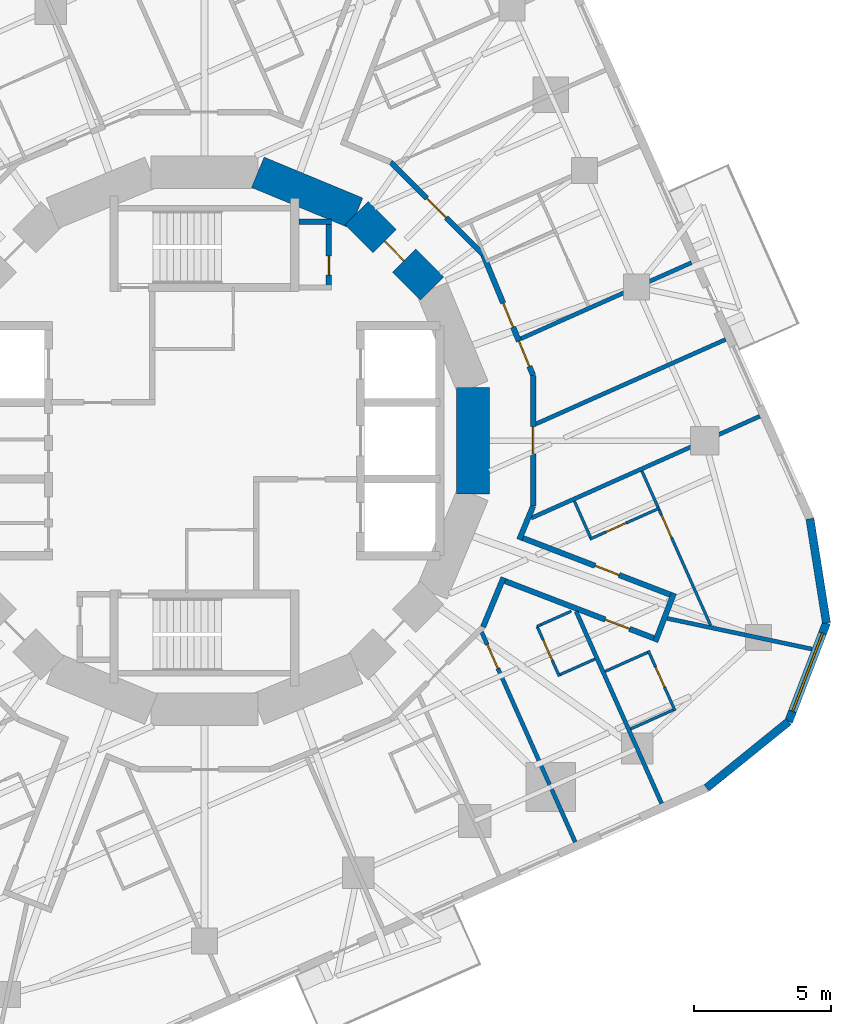
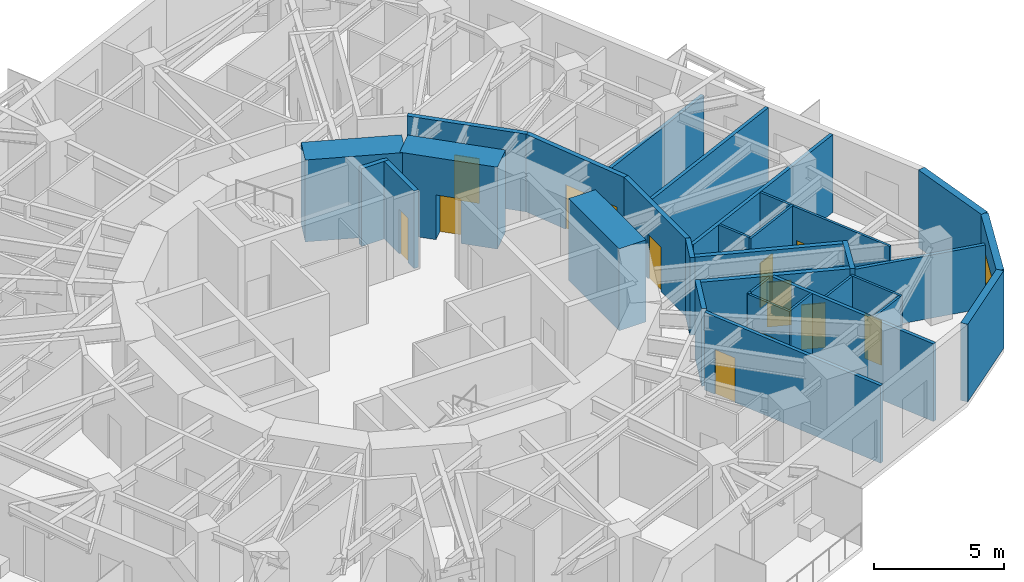
# One storey, part 8 of 12: 33 walls, 13 doors, 1 window, 14 openings.
"""IFC4 building model written with IfcOpenShell, lengths in metres."""

from ifc_helpers import new_model, si_unit, direction, frame, frame_2d, origin, place, context, subcontext, project, spatial, rectangle, extrude, material, layer, layer_set, type_object, element, fill, save


model = new_model("IFC4")

# Units and contexts
model_context = context("Model", 3, precision=1e-05, world=origin(), true_north=direction((0.0, 1.0)))
body_context = subcontext(model_context, "Body", "Model", "MODEL_VIEW")
ifc_project = project(units=[si_unit("LENGTHUNIT", "METRE"), si_unit("AREAUNIT", "SQUARE_METRE"), si_unit("VOLUMEUNIT", "CUBIC_METRE"), si_unit("PLANEANGLEUNIT", "RADIAN"), si_unit("MASSUNIT", "GRAM", prefix="KILO")], contexts=[model_context])

# Site, building, storey
site_placement = place(None, origin())
site = spatial("IfcSite", under=ifc_project, at=site_placement, CompositionType="ELEMENT")
building_placement = place(site_placement, origin())
building = spatial("IfcBuilding", under=site, at=building_placement, Name="Nakasero Lantern House", CompositionType="ELEMENT")
storey_placement = place(building_placement, frame((0.0, 0.0, 190.14990234375)))
storey = spatial("IfcBuildingStorey", under=building, at=storey_placement, Name="L46", CompositionType="ELEMENT", Elevation=190.14990234375)

# Wall, opening, door
ifc_material_1 = material(Name="Concrete C50/60", Category="concrete")
ifc_layer_1 = layer(ifc_material_1, 1.199951171875)
ifc_layer_set_1 = layer_set([ifc_layer_1], Name="Core wall 1200")
wall_type_1 = type_object("IfcWallType", Name="Core wall 1200", PredefinedType="SHEAR", material=ifc_layer_set_1)
wall_1_placement = place(storey_placement, frame((8.314697265625, 5.5556640625, 0.0), z_axis=(0.0, 0.0, 1.0), x_axis=(-0.707106781187, 0.707106781187, 0.0)))
wall_1 = element("IfcWall", 1, at=wall_1_placement, inside=storey, type_object=wall_type_1, Name="Core wall L46 facet 2", PredefinedType="SHEAR", context=body_context, shape_type="SweptSolid", body=[
    extrude(rectangle(XDim=3.90185546875, YDim=1.199951171875, at=frame_2d((1.950927734375, 0.0))), origin(), (0.0, 0.0, 1.0), 3.85009765625),
])
opening_1_placement = place(wall_1_placement, frame((1.450927734375, 0.0, 0.0)))
opening_1 = element("IfcOpeningElement", 2, at=opening_1_placement, cuts=wall_1, Name="Opening D05", PredefinedType="OPENING", context=body_context, shape_type="SweptSolid", body=[
    extrude(rectangle(XDim=1.0, YDim=2.10009765625, at=frame_2d((0.5, 1.050048828125))), frame((0.0, 0.619873046875, 0.0), z_axis=(0.0, -1.0, 0.0), x_axis=(1.0, 0.0, 0.0)), (0.0, 0.0, 1.0), 1.239990234375),
])
ifc_material_2 = material(Name="Timber C24", Category="wood")
door_type_1 = type_object("IfcDoorType", Name="Core door FD60S 1000", OperationType="SINGLE_SWING_LEFT", PredefinedType="DOOR", material=ifc_material_2)
door_1_placement = place(opening_1_placement, origin())
door_1 = element("IfcDoor", 3, at=door_1_placement, inside=storey, type_object=door_type_1, Name="Door L46 D-CORE02", OperationType="SINGLE_SWING_LEFT", OverallHeight=2.10009765625, OverallWidth=1.0, PredefinedType="DOOR", context=body_context, shape_type="SweptSolid", body=[
    extrude(rectangle(XDim=1.0, YDim=2.10009765625, at=frame_2d((0.5, 1.050048828125))), frame((0.0, 0.02490234375, 0.0), z_axis=(0.0, -1.0, 0.0), x_axis=(1.0, 0.0, 0.0)), (0.0, 0.0, 1.0), 0.050048828125),
])
fill(opening_1, door_1)

# Walls
for number, where, z_axis, x_axis, name in (
    (4, (5.5556640625, 8.314697265625, 0.0), (0.0, 0.0, 1.0), (-0.923876507187, 0.382690736062, 0.0), "Core wall L46 facet 3"),
    (5, (9.807861328125, -1.950927734375, 0.0), (0.0, 0.0, 1.0), (0.0, 1.0, 0.0), "Core wall L46 facet 16"),
):
    element("IfcWall", number, at=place(storey_placement, frame(where, z_axis=z_axis, x_axis=x_axis)), inside=storey, type_object=wall_type_1, Name=name, PredefinedType="SHEAR", context=body_context, shape_type="SweptSolid", body=[
        extrude(rectangle(XDim=3.90185546875, YDim=1.199951171875, at=frame_2d((1.950927734375, 0.0))), origin(), (0.0, 0.0, 1.0), 3.85009765625),
    ])

# Wall, opening, door
ifc_material_3 = material(Name="Blockwork", Category="masonry")
ifc_layer_2 = layer(ifc_material_3, 0.199951171875)
ifc_layer_set_2 = layer_set([ifc_layer_2], Name="Corridor wall 200")
wall_type_2 = type_object("IfcWallType", Name="Corridor wall 200", PredefinedType="PARTITIONING", material=ifc_layer_set_2)
wall_2_placement = place(storey_placement, frame((12.0078125, 2.388427734375, 0.0), z_axis=(0.0, 0.0, 1.0), x_axis=(0.0, -1.0, 0.0)))
wall_2 = element("IfcWall", 6, at=wall_2_placement, inside=storey, type_object=wall_type_2, Name="Corridor wall L46 RC00a", PredefinedType="PARTITIONING", context=body_context, shape_type="SweptSolid", body=[
    extrude(rectangle(XDim=4.77685546875, YDim=0.199951171875, at=frame_2d((2.388427734375, 0.0))), origin(), (0.0, 0.0, 1.0), 3.650146484375),
])
opening_2_placement = place(wall_2_placement, frame((1.8701171875, 0.0, 0.0)))
opening_2 = element("IfcOpeningElement", 7, at=opening_2_placement, cuts=wall_2, Name="Opening D03", PredefinedType="OPENING", context=body_context, shape_type="SweptSolid", body=[
    extrude(rectangle(XDim=1.0, YDim=2.10009765625, at=frame_2d((0.5, 1.050048828125))), frame((0.0, 0.119873046875, 0.0), z_axis=(0.0, -1.0, 0.0), x_axis=(1.0, 0.0, 0.0)), (0.0, 0.0, 1.0), 0.239990234375),
])
ifc_material_4 = material(Name="Timber C24", Category="wood")
door_type_2 = type_object("IfcDoorType", Name="Lounge door FD30S 1000", OperationType="SINGLE_SWING_LEFT", PredefinedType="DOOR", material=ifc_material_4)
door_2_placement = place(opening_2_placement, origin())
door_2 = element("IfcDoor", 8, at=door_2_placement, inside=storey, type_object=door_type_2, Name="Door L46 DK0", OperationType="SINGLE_SWING_LEFT", OverallHeight=2.10009765625, OverallWidth=1.0, PredefinedType="DOOR", context=body_context, shape_type="SweptSolid", body=[
    extrude(rectangle(XDim=1.0, YDim=2.10009765625, at=frame_2d((0.5, 1.050048828125))), frame((0.0, 0.02490234375, 0.0), z_axis=(0.0, -1.0, 0.0), x_axis=(1.0, 0.0, 0.0)), (0.0, 0.0, 1.0), 0.050048828125),
])
fill(opening_2, door_2)

# Walls
wall_3_placement = place(storey_placement, frame((12.0078125, -2.388427734375, 0.0), z_axis=(0.0, 0.0, 1.0), x_axis=(-0.382650385623, -0.923893220228, 0.0)))
element("IfcWall", 9, at=wall_3_placement, inside=storey, type_object=wall_type_2, Name="Corridor wall L46 RC01a", PredefinedType="PARTITIONING", context=body_context, shape_type="SweptSolid", body=[
    extrude(rectangle(XDim=1.323974609375, YDim=0.199951171875, at=frame_2d((0.662109375, 0.0))), origin(), (0.0, 0.0, 1.0), 3.650146484375),
])
wall_4_placement = place(storey_placement, frame((10.927001953125, -4.997802734375, 0.0), z_axis=(0.0, 0.0, 1.0), x_axis=(-0.382679353297, -0.923881222106, 0.0)))
element("IfcWall", 10, at=wall_4_placement, inside=storey, type_object=wall_type_2, Name="Corridor wall L46 RC01b", PredefinedType="PARTITIONING", context=body_context, shape_type="SweptSolid", body=[
    extrude(rectangle(XDim=1.952880859375, YDim=0.199951171875, at=frame_2d((0.9765625, 0.0))), origin(), (0.0, 0.0, 1.0), 3.650146484375),
])

# Wall, opening, door
wall_5_placement = place(storey_placement, frame((6.802001953125, 10.1796875, 0.0), z_axis=(0.0, 0.0, 1.0), x_axis=(0.707106781187, -0.707106781187, 0.0)))
wall_5 = element("IfcWall", 11, at=wall_5_placement, inside=storey, type_object=wall_type_2, Name="Corridor wall L46 RC14a", PredefinedType="PARTITIONING", context=body_context, shape_type="SweptSolid", body=[
    extrude(rectangle(XDim=4.77685546875, YDim=0.199951171875, at=frame_2d((2.388427734375, 0.0))), origin(), (0.0, 0.0, 1.0), 3.650146484375),
])
opening_3_placement = place(wall_5_placement, frame((1.8701171875, 0.0, 0.0)))
opening_3 = element("IfcOpeningElement", 12, at=opening_3_placement, cuts=wall_5, Name="Opening D14", PredefinedType="OPENING", context=body_context, shape_type="SweptSolid", body=[
    extrude(rectangle(XDim=1.0, YDim=2.10009765625, at=frame_2d((0.5, 1.050048828125))), frame((0.0, 0.119873046875, 0.0), z_axis=(0.0, -1.0, 0.0), x_axis=(1.0, 0.0, 0.0)), (0.0, 0.0, 1.0), 0.239990234375),
])
ifc_material_5 = material(Name="Timber C24", Category="wood")
door_type_3 = type_object("IfcDoorType", Name="Cluster entrance door FD30S 1000", OperationType="SINGLE_SWING_LEFT", PredefinedType="DOOR", material=ifc_material_5)
door_3_placement = place(opening_3_placement, origin())
door_3 = element("IfcDoor", 13, at=door_3_placement, inside=storey, type_object=door_type_3, Name="Door L46 D0-04", OperationType="SINGLE_SWING_LEFT", OverallHeight=2.10009765625, OverallWidth=1.0, PredefinedType="DOOR", context=body_context, shape_type="SweptSolid", body=[
    extrude(rectangle(XDim=1.0, YDim=2.10009765625, at=frame_2d((0.5, 1.050048828125))), frame((0.0, 0.02490234375, 0.0), z_axis=(0.0, -1.0, 0.0), x_axis=(1.0, 0.0, 0.0)), (0.0, 0.0, 1.0), 0.050048828125),
])
fill(opening_3, door_3)

# Wall, openings, doors
wall_6_placement = place(storey_placement, frame((10.1796875, 6.802001953125, 0.0), z_axis=(0.0, 0.0, 1.0), x_axis=(0.382676767893, -0.923882292998, 0.0)))
wall_6 = element("IfcWall", 14, at=wall_6_placement, inside=storey, type_object=wall_type_2, Name="Corridor wall L46 RC15a", PredefinedType="PARTITIONING", context=body_context, shape_type="SweptSolid", body=[
    extrude(rectangle(XDim=4.777099609375, YDim=0.199951171875, at=frame_2d((2.388671875, 0.0))), origin(), (0.0, 0.0, 1.0), 3.650146484375),
])
opening_4_placement = place(wall_6_placement, frame((1.919921875, 0.0, 0.0)))
opening_4 = element("IfcOpeningElement", 15, at=opening_4_placement, cuts=wall_6, Name="Opening D01", PredefinedType="OPENING", context=body_context, shape_type="SweptSolid", body=[
    extrude(rectangle(XDim=0.949951171875, YDim=2.10009765625, at=frame_2d((0.47509765625, 1.050048828125))), frame((0.0, 0.119873046875, 0.0), z_axis=(0.0, -1.0, 0.0), x_axis=(1.0, 0.0, 0.0)), (0.0, 0.0, 1.0), 0.239990234375),
])
opening_5_placement = place(wall_6_placement, frame((3.419921875, 0.0, 0.0)))
opening_5 = element("IfcOpeningElement", 16, at=opening_5_placement, cuts=wall_6, Name="Opening D03", PredefinedType="OPENING", context=body_context, shape_type="SweptSolid", body=[
    extrude(rectangle(XDim=1.0, YDim=2.10009765625, at=frame_2d((0.5, 1.050048828125))), frame((0.0, 0.119873046875, 0.0), z_axis=(0.0, -1.0, 0.0), x_axis=(1.0, 0.0, 0.0)), (0.0, 0.0, 1.0), 0.239990234375),
])
ifc_material_6 = material(Name="Timber C24", Category="wood")
door_type_4 = type_object("IfcDoorType", Name="Bedroom door FD30S 950", OperationType="SINGLE_SWING_LEFT", PredefinedType="DOOR", material=ifc_material_6)
door_4_placement = place(opening_4_placement, origin())
door_4 = element("IfcDoor", 17, at=door_4_placement, inside=storey, type_object=door_type_4, Name="Door L46 D0-03", OperationType="SINGLE_SWING_RIGHT", OverallHeight=2.10009765625, OverallWidth=0.949951171875, PredefinedType="DOOR", context=body_context, shape_type="SweptSolid", body=[
    extrude(rectangle(XDim=0.949951171875, YDim=2.10009765625, at=frame_2d((0.47509765625, 1.050048828125))), frame((0.0, 0.02490234375, 0.0), z_axis=(0.0, -1.0, 0.0), x_axis=(1.0, 0.0, 0.0)), (0.0, 0.0, 1.0), 0.050048828125),
])
fill(opening_4, door_4)
door_5_placement = place(opening_5_placement, origin())
door_5 = element("IfcDoor", 18, at=door_5_placement, inside=storey, type_object=door_type_2, Name="Door L46 DK0-1", OperationType="SINGLE_SWING_RIGHT", OverallHeight=2.10009765625, OverallWidth=1.0, PredefinedType="DOOR", context=body_context, shape_type="SweptSolid", body=[
    extrude(rectangle(XDim=1.0, YDim=2.10009765625, at=frame_2d((0.5, 1.050048828125))), frame((0.0, 0.02490234375, 0.0), z_axis=(0.0, -1.0, 0.0), x_axis=(1.0, 0.0, 0.0)), (0.0, 0.0, 1.0), 0.050048828125),
])
fill(opening_5, door_5)

# Wall, opening, door
wall_7_placement = place(storey_placement, frame((10.888671875, -5.09033203125, 0.0), z_axis=(0.0, 0.0, 1.0), x_axis=(0.933587089798, -0.35835059057, 0.0)))
wall_7 = element("IfcWall", 19, at=wall_7_placement, inside=storey, type_object=wall_type_2, Name="Corridor wall L46 SP3a", PredefinedType="PARTITIONING", context=body_context, shape_type="SweptSolid", body=[
    extrude(rectangle(XDim=6.117919921875, YDim=0.199951171875, at=frame_2d((3.05908203125, 0.0))), origin(), (0.0, 0.0, 1.0), 3.650146484375),
])
opening_6_placement = place(wall_7_placement, frame((4.02001953125, 0.0, 0.0)))
opening_6 = element("IfcOpeningElement", 20, at=opening_6_placement, cuts=wall_7, Name="Opening D01", PredefinedType="OPENING", context=body_context, shape_type="SweptSolid", body=[
    extrude(rectangle(XDim=0.949951171875, YDim=2.10009765625, at=frame_2d((0.47509765625, 1.050048828125))), frame((0.0, 0.119873046875, 0.0), z_axis=(0.0, -1.0, 0.0), x_axis=(1.0, 0.0, 0.0)), (0.0, 0.0, 1.0), 0.239990234375),
])
door_6_placement = place(opening_6_placement, origin())
door_6 = element("IfcDoor", 21, at=door_6_placement, inside=storey, type_object=door_type_4, Name="Door L46 D3-06", OperationType="SINGLE_SWING_RIGHT", OverallHeight=2.10009765625, OverallWidth=0.949951171875, PredefinedType="DOOR", context=body_context, shape_type="SweptSolid", body=[
    extrude(rectangle(XDim=0.949951171875, YDim=2.10009765625, at=frame_2d((0.47509765625, 1.050048828125))), frame((0.0, 0.02490234375, 0.0), z_axis=(0.0, -1.0, 0.0), x_axis=(1.0, 0.0, 0.0)), (0.0, 0.0, 1.0), 0.050048828125),
])
fill(opening_6, door_6)

wall_8_placement = place(storey_placement, frame((11.53955078125, -3.51904296875, 0.0), z_axis=(0.0, 0.0, 1.0), x_axis=(0.93357023507, -0.358394497993, 0.0)))
wall_8 = element("IfcWall", 22, at=wall_8_placement, inside=storey, type_object=wall_type_2, Name="Corridor wall L46 SP3b", PredefinedType="PARTITIONING", context=body_context, shape_type="SweptSolid", body=[
    extrude(rectangle(XDim=6.07373046875, YDim=0.199951171875, at=frame_2d((3.036865234375, 0.0))), origin(), (0.0, 0.0, 1.0), 3.650146484375),
])
opening_7_placement = place(wall_8_placement, frame((2.919921875, 0.0, 0.0)))
opening_7 = element("IfcOpeningElement", 23, at=opening_7_placement, cuts=wall_8, Name="Opening D01", PredefinedType="OPENING", context=body_context, shape_type="SweptSolid", body=[
    extrude(rectangle(XDim=0.949951171875, YDim=2.10009765625, at=frame_2d((0.47509765625, 1.050048828125))), frame((0.0, 0.119873046875, 0.0), z_axis=(0.0, -1.0, 0.0), x_axis=(1.0, 0.0, 0.0)), (0.0, 0.0, 1.0), 0.239990234375),
])
door_7_placement = place(opening_7_placement, origin())
door_7 = element("IfcDoor", 24, at=door_7_placement, inside=storey, type_object=door_type_4, Name="Door L46 D0-00", OperationType="SINGLE_SWING_RIGHT", OverallHeight=2.10009765625, OverallWidth=0.949951171875, PredefinedType="DOOR", context=body_context, shape_type="SweptSolid", body=[
    extrude(rectangle(XDim=0.949951171875, YDim=2.10009765625, at=frame_2d((0.47509765625, 1.050048828125))), frame((0.0, 0.02490234375, 0.0), z_axis=(0.0, -1.0, 0.0), x_axis=(1.0, 0.0, 0.0)), (0.0, 0.0, 1.0), 0.050048828125),
])
fill(opening_7, door_7)

# Wall
wall_9_placement = place(storey_placement, frame((16.47119140625, -7.34033203125, 0.0), z_axis=(0.0, 0.0, 1.0), x_axis=(0.3583504709, 0.933587135733, 0.0)))
element("IfcWall", 25, at=wall_9_placement, inside=storey, type_object=wall_type_2, Name="Corridor wall L46 SP3e", PredefinedType="PARTITIONING", context=body_context, shape_type="SweptSolid", body=[
    extrude(rectangle(XDim=1.900146484375, YDim=0.199951171875, at=frame_2d((0.9501953125, 0.0))), origin(), (0.0, 0.0, 1.0), 3.650146484375),
])

# Wall, opening, door
ifc_material_7 = material(Name="Blockwork", Category="masonry")
ifc_layer_3 = layer(ifc_material_7, 0.10009765625)
ifc_layer_set_3 = layer_set([ifc_layer_3], Name="En-suite wall 100")
wall_type_3 = type_object("IfcWallType", Name="En-suite wall 100", PredefinedType="PARTITIONING", material=ifc_layer_set_3)
wall_10_placement = place(storey_placement, frame((14.079345703125, -3.594482421875, 0.0), z_axis=(0.0, 0.0, 1.0), x_axis=(0.913534471978, 0.406761316386, 0.0)))
wall_10 = element("IfcWall", 26, at=wall_10_placement, inside=storey, type_object=wall_type_3, Name="En-suite wall L46 ES0-00", PredefinedType="PARTITIONING", context=body_context, shape_type="SweptSolid", body=[
    extrude(rectangle(XDim=2.800048828125, YDim=0.10009765625, at=frame_2d((1.39990234375, 0.0))), origin(), (0.0, 0.0, 1.0), 3.650146484375),
])
opening_8_placement = place(wall_10_placement, frame((0.64990234375, 0.0, 0.0)))
opening_8 = element("IfcOpeningElement", 27, at=opening_8_placement, cuts=wall_10, Name="Opening D02", PredefinedType="OPENING", context=body_context, shape_type="SweptSolid", body=[
    extrude(rectangle(XDim=0.800048828125, YDim=2.10009765625, at=frame_2d((0.39990234375, 1.050048828125))), frame((0.0, 0.070068359375, 0.0), z_axis=(0.0, -1.0, 0.0), x_axis=(1.0, 0.0, 0.0)), (0.0, 0.0, 1.0), 0.14013671875),
])
ifc_material_8 = material(Name="Timber C24", Category="wood")
door_type_5 = type_object("IfcDoorType", Name="En-suite door 800", OperationType="SINGLE_SWING_RIGHT", PredefinedType="DOOR", material=ifc_material_8)
door_8_placement = place(opening_8_placement, origin())
door_8 = element("IfcDoor", 28, at=door_8_placement, inside=storey, type_object=door_type_5, Name="Door L46 DE0-00", OperationType="SINGLE_SWING_LEFT", OverallHeight=2.10009765625, OverallWidth=0.800048828125, PredefinedType="DOOR", context=body_context, shape_type="SweptSolid", body=[
    extrude(rectangle(XDim=0.800048828125, YDim=2.10009765625, at=frame_2d((0.39990234375, 1.050048828125))), frame((0.0, 0.02490234375, 0.0), z_axis=(0.0, -1.0, 0.0), x_axis=(1.0, 0.0, 0.0)), (0.0, 0.0, 1.0), 0.050048828125),
])
fill(opening_8, door_8)

# Walls
for number, where, z_axis, x_axis, name in (
    (29, (16.571044921875, -2.430419921875, 0.0), (0.0, 0.0, 1.0), (-0.406622700638, 0.91359617957, 0.0), "En-suite wall L46 EE0-00"),
    (30, (14.1044921875, -3.528564453125, 0.0), (0.0, 0.0, 1.0), (-0.406622700638, 0.91359617957, 0.0), "En-suite wall L46 EI0-00"),
):
    element("IfcWall", number, at=place(storey_placement, frame(where, z_axis=z_axis, x_axis=x_axis)), inside=storey, type_object=wall_type_3, Name=name, PredefinedType="PARTITIONING", context=body_context, shape_type="SweptSolid", body=[
        extrude(rectangle(XDim=1.449951171875, YDim=0.10009765625, at=frame_2d((0.72509765625, 0.0))), origin(), (0.0, 0.0, 1.0), 3.650146484375),
    ])

# Wall, opening, door
wall_11_placement = place(storey_placement, frame((12.153564453125, -6.78125, 0.0), z_axis=(0.0, 0.0, 1.0), x_axis=(0.406772684097, -0.913529410294, 0.0)))
wall_11 = element("IfcWall", 31, at=wall_11_placement, inside=storey, type_object=wall_type_3, Name="En-suite wall L46 ES3-05", PredefinedType="PARTITIONING", context=body_context, shape_type="SweptSolid", body=[
    extrude(rectangle(XDim=1.999755859375, YDim=0.10009765625, at=frame_2d((1.0, 0.0))), origin(), (0.0, 0.0, 1.0), 3.650146484375),
])
opening_9_placement = place(wall_11_placement, frame((0.550048828125, 0.0, 0.0)))
opening_9 = element("IfcOpeningElement", 32, at=opening_9_placement, cuts=wall_11, Name="Opening D02", PredefinedType="OPENING", context=body_context, shape_type="SweptSolid", body=[
    extrude(rectangle(XDim=0.800048828125, YDim=2.10009765625, at=frame_2d((0.39990234375, 1.050048828125))), frame((0.0, 0.070068359375, 0.0), z_axis=(0.0, -1.0, 0.0), x_axis=(1.0, 0.0, 0.0)), (0.0, 0.0, 1.0), 0.14013671875),
])
door_9_placement = place(opening_9_placement, origin())
door_9 = element("IfcDoor", 33, at=door_9_placement, inside=storey, type_object=door_type_5, Name="Door L46 DE3-05", OperationType="SINGLE_SWING_LEFT", OverallHeight=2.10009765625, OverallWidth=0.800048828125, PredefinedType="DOOR", context=body_context, shape_type="SweptSolid", body=[
    extrude(rectangle(XDim=0.800048828125, YDim=2.10009765625, at=frame_2d((0.39990234375, 1.050048828125))), frame((0.0, 0.02490234375, 0.0), z_axis=(0.0, -1.0, 0.0), x_axis=(1.0, 0.0, 0.0)), (0.0, 0.0, 1.0), 0.050048828125),
])
fill(opening_9, door_9)

# Wall
wall_12_placement = place(storey_placement, frame((12.992431640625, -8.542236328125, 0.0), z_axis=(0.0, 0.0, 1.0), x_axis=(0.913487636581, 0.406866486472, 0.0)))
element("IfcWall", 34, at=wall_12_placement, inside=storey, type_object=wall_type_3, Name="En-suite wall L46 EE3-05", PredefinedType="PARTITIONING", context=body_context, shape_type="SweptSolid", body=[
    extrude(rectangle(XDim=1.39990234375, YDim=0.10009765625, at=frame_2d((0.699951171875, 0.0))), origin(), (0.0, 0.0, 1.0), 3.650146484375),
])

# Wall, opening, door
wall_13_placement = place(storey_placement, frame((16.215087890625, -7.66748046875, 0.0), z_axis=(0.0, 0.0, 1.0), x_axis=(0.40677069889, -0.913530294257, 0.0)))
wall_13 = element("IfcWall", 35, at=wall_13_placement, inside=storey, type_object=wall_type_3, Name="En-suite wall L46 ES3-06", PredefinedType="PARTITIONING", context=body_context, shape_type="SweptSolid", body=[
    extrude(rectangle(XDim=2.400146484375, YDim=0.10009765625, at=frame_2d((1.2001953125, 0.0))), origin(), (0.0, 0.0, 1.0), 3.650146484375),
])
opening_10_placement = place(wall_13_placement, frame((0.64990234375, 0.0, 0.0)))
opening_10 = element("IfcOpeningElement", 36, at=opening_10_placement, cuts=wall_13, Name="Opening D02", PredefinedType="OPENING", context=body_context, shape_type="SweptSolid", body=[
    extrude(rectangle(XDim=0.800048828125, YDim=2.10009765625, at=frame_2d((0.39990234375, 1.050048828125))), frame((0.0, 0.070068359375, 0.0), z_axis=(0.0, -1.0, 0.0), x_axis=(1.0, 0.0, 0.0)), (0.0, 0.0, 1.0), 0.14013671875),
])
door_10_placement = place(opening_10_placement, origin())
door_10 = element("IfcDoor", 37, at=door_10_placement, inside=storey, type_object=door_type_5, Name="Door L46 DE3-06", OperationType="SINGLE_SWING_LEFT", OverallHeight=2.10009765625, OverallWidth=0.800048828125, PredefinedType="DOOR", context=body_context, shape_type="SweptSolid", body=[
    extrude(rectangle(XDim=0.800048828125, YDim=2.10009765625, at=frame_2d((0.39990234375, 1.050048828125))), frame((0.0, 0.02490234375, 0.0), z_axis=(0.0, -1.0, 0.0), x_axis=(1.0, 0.0, 0.0)), (0.0, 0.0, 1.0), 0.050048828125),
])
fill(opening_10, door_10)

# Walls
wall_14_placement = place(storey_placement, frame((15.572265625, -10.526123046875, 0.0), z_axis=(0.0, 0.0, 1.0), x_axis=(0.913550776237, 0.406724697108, 0.0)))
element("IfcWall", 38, at=wall_14_placement, inside=storey, type_object=wall_type_3, Name="En-suite wall L46 EE3-06", PredefinedType="PARTITIONING", context=body_context, shape_type="SweptSolid", body=[
    extrude(rectangle(XDim=1.699951171875, YDim=0.10009765625, at=frame_2d((0.85009765625, 0.0))), origin(), (0.0, 0.0, 1.0), 3.650146484375),
])
wall_15_placement = place(storey_placement, frame((14.63671875, -8.425048828125, 0.0), z_axis=(0.0, 0.0, 1.0), x_axis=(0.91357452948, 0.406671340378, 0.0)))
element("IfcWall", 39, at=wall_15_placement, inside=storey, type_object=wall_type_3, Name="En-suite wall L46 EI3-06", PredefinedType="PARTITIONING", context=body_context, shape_type="SweptSolid", body=[
    extrude(rectangle(XDim=1.7001953125, YDim=0.10009765625, at=frame_2d((0.85009765625, 0.0))), origin(), (0.0, 0.0, 1.0), 3.650146484375),
])

# Wall, opening, door
wall_16_placement = place(storey_placement, frame((18.494140625, -6.749267578125, 0.0), z_axis=(0.0, 0.0, 1.0), x_axis=(-0.406755138931, 0.913537222533, 0.0)))
wall_16 = element("IfcWall", 40, at=wall_16_placement, inside=storey, type_object=wall_type_3, Name="En-suite wall L46 EL0-00", PredefinedType="PARTITIONING", context=body_context, shape_type="SweptSolid", body=[
    extrude(rectangle(XDim=4.627685546875, YDim=0.10009765625, at=frame_2d((2.31396484375, 0.0))), origin(), (0.0, 0.0, 1.0), 3.650146484375),
])
opening_11_placement = place(wall_16_placement, frame((3.527587890625, 0.0, 0.0)))
opening_11 = element("IfcOpeningElement", 41, at=opening_11_placement, cuts=wall_16, Name="Opening D17", PredefinedType="OPENING", context=body_context, shape_type="SweptSolid", body=[
    extrude(rectangle(XDim=0.89990234375, YDim=2.10009765625, at=frame_2d((0.449951171875, 1.050048828125))), frame((0.0, 0.070068359375, 0.0), z_axis=(0.0, -1.0, 0.0), x_axis=(1.0, 0.0, 0.0)), (0.0, 0.0, 1.0), 0.14013671875),
])
ifc_material_9 = material(Name="Timber C24", Category="wood")
door_type_6 = type_object("IfcDoorType", Name="Bedroom door FD30S 900", OperationType="SINGLE_SWING_LEFT", PredefinedType="DOOR", material=ifc_material_9)
door_11_placement = place(opening_11_placement, origin())
door_11 = element("IfcDoor", 42, at=door_11_placement, inside=storey, type_object=door_type_6, Name="Door L46 DL0-00", OperationType="SINGLE_SWING_RIGHT", OverallHeight=2.10009765625, OverallWidth=0.89990234375, PredefinedType="DOOR", context=body_context, shape_type="SweptSolid", body=[
    extrude(rectangle(XDim=0.89990234375, YDim=2.10009765625, at=frame_2d((0.449951171875, 1.050048828125))), frame((0.0, 0.02490234375, 0.0), z_axis=(0.0, -1.0, 0.0), x_axis=(1.0, 0.0, 0.0)), (0.0, 0.0, 1.0), 0.050048828125),
])
fill(opening_11, door_11)

# Walls
wall_17_placement = place(storey_placement, frame((13.400634765625, -6.225830078125, 0.0), z_axis=(0.0, 0.0, 1.0), x_axis=(-0.913544055495, -0.406739792336, 0.0)))
element("IfcWall", 43, at=wall_17_placement, inside=storey, type_object=wall_type_3, Name="En-suite wall L46 EX003", PredefinedType="PARTITIONING", context=body_context, shape_type="SweptSolid", body=[
    extrude(rectangle(XDim=1.205322265625, YDim=0.10009765625, at=frame_2d((0.6025390625, 0.0))), origin(), (0.0, 0.0, 1.0), 3.650146484375),
])
wall_18_placement = place(storey_placement, frame((12.153564453125, -6.78125, 0.0), z_axis=(0.0, 0.0, 1.0), x_axis=(0.913117581485, 0.407696311466, 0.0)))
element("IfcWall", 44, at=wall_18_placement, inside=storey, type_object=wall_type_3, Name="En-suite wall L46 ES3-05R0", PredefinedType="PARTITIONING", context=body_context, shape_type="SweptSolid", body=[
    extrude(rectangle(XDim=0.159912109375, YDim=0.10009765625, at=frame_2d((0.080078125, 0.0))), origin(), (0.0, 0.0, 1.0), 3.650146484375),
])
ifc_material_10 = material(Name="Aluminium rainscreen on blockwork", Category="masonry")
ifc_layer_4 = layer(ifc_material_10, 0.300048828125)
ifc_layer_set_4 = layer_set([ifc_layer_4], Name="Facade wall 300")
wall_type_4 = type_object("IfcWallType", Name="Facade wall 300", PredefinedType="SOLIDWALL", material=ifc_layer_set_4)
wall_19_placement = place(storey_placement, frame((18.345458984375, -12.684814453125, 0.0), z_axis=(0.0, 0.0, 1.0), x_axis=(0.777174099125, 0.629285642335, 0.0)))
element("IfcWall", 45, at=wall_19_placement, inside=storey, type_object=wall_type_4, Name="Facade wall L46 FW3C1", PredefinedType="SOLIDWALL", context=body_context, shape_type="SweptSolid", body=[
    extrude(rectangle(XDim=3.8564453125, YDim=0.300048828125, at=frame_2d((1.92822265625, 0.0))), origin(), (0.0, 0.0, 1.0), 3.650146484375),
])

# Wall, opening, window
wall_20_placement = place(storey_placement, frame((21.342529296875, -10.258056640625, 0.0), z_axis=(0.0, 0.0, 1.0), x_axis=(0.358321438858, 0.933598278948, 0.0)))
wall_20 = element("IfcWall", 46, at=wall_20_placement, inside=storey, type_object=wall_type_4, Name="Facade wall L46 FW3C2", PredefinedType="SOLIDWALL", context=body_context, shape_type="SweptSolid", body=[
    extrude(rectangle(XDim=3.8564453125, YDim=0.300048828125, at=frame_2d((1.92822265625, 0.0))), origin(), (0.0, 0.0, 1.0), 3.650146484375),
])
opening_12_placement = place(wall_20_placement, frame((0.39990234375, 0.0, 0.75)))
opening_12 = element("IfcOpeningElement", 47, at=opening_12_placement, cuts=wall_20, Name="Opening W230", PredefinedType="OPENING", context=body_context, shape_type="SweptSolid", body=[
    extrude(rectangle(XDim=3.055908203125, YDim=1.800048828125, at=frame_2d((1.52783203125, 0.89990234375))), frame((0.0, 0.169921875, 0.0), z_axis=(0.0, -1.0, 0.0), x_axis=(1.0, 0.0, 0.0)), (0.0, 0.0, 1.0), 0.340087890625),
])
ifc_material_11 = material(Name="Aluminium 6063-T6 and glass", Category="aluminium")
window_type = type_object("IfcWindowType", Name="Corner window 3056x1800", PartitioningType="SINGLE_PANEL", PredefinedType="WINDOW", material=ifc_material_11)
window_placement = place(opening_12_placement, origin())
window = element("IfcWindow", 48, at=window_placement, inside=storey, type_object=window_type, Name="Window L46 WC3", OverallHeight=1.800048828125, OverallWidth=3.055908203125, PartitioningType="SINGLE_PANEL", PredefinedType="WINDOW", context=body_context, shape_type="SweptSolid", body=[
    extrude(rectangle(XDim=3.055908203125, YDim=1.800048828125, at=frame_2d((1.52783203125, 0.89990234375))), frame((0.0, 0.030029296875, 0.0), z_axis=(0.0, -1.0, 0.0), x_axis=(1.0, 0.0, 0.0)), (0.0, 0.0, 1.0), 0.06005859375),
])
fill(opening_12, window)

# Wall
wall_21_placement = place(storey_placement, frame((22.724365234375, -6.65771484375, 0.0), z_axis=(0.0, 0.0, 1.0), x_axis=(-0.156437203878, 0.987687906802, 0.0)))
element("IfcWall", 49, at=wall_21_placement, inside=storey, type_object=wall_type_4, Name="Facade wall L46 FW3C3", PredefinedType="SOLIDWALL", context=body_context, shape_type="SweptSolid", body=[
    extrude(rectangle(XDim=3.856201171875, YDim=0.300048828125, at=frame_2d((1.92822265625, 0.0))), origin(), (0.0, 0.0, 1.0), 3.650146484375),
])

# Wall, opening, door
ifc_material_12 = material(Name="Blockwork", Category="masonry")
ifc_layer_5 = layer(ifc_material_12, 0.199951171875)
ifc_layer_set_5 = layer_set([ifc_layer_5], Name="Fire lobby wall 200")
wall_type_5 = type_object("IfcWallType", Name="Fire lobby wall 200", PredefinedType="PARTITIONING", material=ifc_layer_set_5)
wall_22_placement = place(storey_placement, frame((4.550048828125, 5.60009765625, 0.0), z_axis=(0.0, 0.0, 1.0), x_axis=(0.0, 1.0, 0.0)))
wall_22 = element("IfcWall", 50, at=wall_22_placement, inside=storey, type_object=wall_type_5, Name="Fire lobby wall L46 W-RS1E", PredefinedType="PARTITIONING", context=body_context, shape_type="SweptSolid", body=[
    extrude(rectangle(XDim=2.39990234375, YDim=0.199951171875, at=frame_2d((1.199951171875, 0.0))), origin(), (0.0, 0.0, 1.0), 3.650146484375),
])
opening_13_placement = place(wall_22_placement, frame((0.449951171875, 0.0, 0.0)))
opening_13 = element("IfcOpeningElement", 51, at=opening_13_placement, cuts=wall_22, Name="Opening D06", PredefinedType="OPENING", context=body_context, shape_type="SweptSolid", body=[
    extrude(rectangle(XDim=0.699951171875, YDim=2.10009765625, at=frame_2d((0.35009765625, 1.050048828125))), frame((0.0, 0.119873046875, 0.0), z_axis=(0.0, -1.0, 0.0), x_axis=(1.0, 0.0, 0.0)), (0.0, 0.0, 1.0), 0.239990234375),
])
ifc_material_13 = material(Name="Steel S355", Category="steel")
door_type_7 = type_object("IfcDoorType", Name="Riser door FD60 700", OperationType="SINGLE_SWING_LEFT", PredefinedType="DOOR", material=ifc_material_13)
door_12_placement = place(opening_13_placement, origin())
door_12 = element("IfcDoor", 52, at=door_12_placement, inside=storey, type_object=door_type_7, Name="Door L46 D-RS1", OperationType="SINGLE_SWING_LEFT", OverallHeight=2.10009765625, OverallWidth=0.699951171875, PredefinedType="DOOR", context=body_context, shape_type="SweptSolid", body=[
    extrude(rectangle(XDim=0.699951171875, YDim=2.10009765625, at=frame_2d((0.35009765625, 1.050048828125))), frame((0.0, 0.02490234375, 0.0), z_axis=(0.0, -1.0, 0.0), x_axis=(1.0, 0.0, 0.0)), (0.0, 0.0, 1.0), 0.050048828125),
])
fill(opening_13, door_12)

# Walls
wall_23_placement = place(storey_placement, frame((3.449951171875, 8.0, 0.0), z_axis=(0.0, 0.0, 1.0), x_axis=(1.0, 0.0, 0.0)))
element("IfcWall", 53, at=wall_23_placement, inside=storey, type_object=wall_type_5, Name="Fire lobby wall L46 W-RS1N", PredefinedType="PARTITIONING", context=body_context, shape_type="SweptSolid", body=[
    extrude(rectangle(XDim=1.199951171875, YDim=0.199951171875, at=frame_2d((0.60009765625, 0.0))), origin(), (0.0, 0.0, 1.0), 3.650146484375),
])
ifc_material_14 = material(Name="Blockwork", Category="masonry")
ifc_layer_6 = layer(ifc_material_14, 0.14990234375)
ifc_layer_set_6 = layer_set([ifc_layer_6], Name="Party wall 150")
wall_type_6 = type_object("IfcWallType", Name="Party wall 150", PredefinedType="PARTITIONING", material=ifc_layer_set_6)
wall_24_placement = place(storey_placement, frame((11.935302734375, -2.824951171875, 0.0), z_axis=(0.0, 0.0, 1.0), x_axis=(0.91355156837, 0.40672291788, 0.0)))
element("IfcWall", 54, at=wall_24_placement, inside=storey, type_object=wall_type_6, Name="Party wall L46 PW0-01", PredefinedType="PARTITIONING", context=body_context, shape_type="SweptSolid", body=[
    extrude(rectangle(XDim=9.1455078125, YDim=0.14990234375, at=frame_2d((4.57275390625, 0.0))), origin(), (0.0, 0.0, 1.0), 3.650146484375),
])
wall_25_placement = place(storey_placement, frame((12.10791015625, 0.61376953125, 0.0), z_axis=(0.0, 0.0, 1.0), x_axis=(0.913552679772, 0.406720421521, 0.0)))
element("IfcWall", 55, at=wall_25_placement, inside=storey, type_object=wall_type_6, Name="Party wall L46 PW0-02", PredefinedType="PARTITIONING", context=body_context, shape_type="SweptSolid", body=[
    extrude(rectangle(XDim=7.589111328125, YDim=0.14990234375, at=frame_2d((3.79443359375, 0.0))), origin(), (0.0, 0.0, 1.0), 3.650146484375),
])
wall_26_placement = place(storey_placement, frame((11.559814453125, 3.7314453125, 0.0), z_axis=(0.0, 0.0, 1.0), x_axis=(0.913544226514, 0.406739408224, 0.0)))
element("IfcWall", 56, at=wall_26_placement, inside=storey, type_object=wall_type_6, Name="Party wall L46 PW0-03", PredefinedType="PARTITIONING", context=body_context, shape_type="SweptSolid", body=[
    extrude(rectangle(XDim=6.82177734375, YDim=0.14990234375, at=frame_2d((3.410888671875, 0.0))), origin(), (0.0, 0.0, 1.0), 2.966552734375),
])

# Wall, opening, door
wall_27_placement = place(storey_placement, frame((10.130615234375, -6.99267578125, 0.0), z_axis=(0.0, 0.0, 1.0), x_axis=(0.406732255089, -0.913547411288, 0.0)))
wall_27 = element("IfcWall", 57, at=wall_27_placement, inside=storey, type_object=wall_type_6, Name="Party wall L46 PW3-05", PredefinedType="PARTITIONING", context=body_context, shape_type="SweptSolid", body=[
    extrude(rectangle(XDim=8.3916015625, YDim=0.14990234375, at=frame_2d((4.19580078125, 0.0))), origin(), (0.0, 0.0, 1.0), 3.650146484375),
])
opening_14_placement = place(wall_27_placement, frame((0.5, 0.0, 0.0)))
opening_14 = element("IfcOpeningElement", 58, at=opening_14_placement, cuts=wall_27, Name="Opening D01", PredefinedType="OPENING", context=body_context, shape_type="SweptSolid", body=[
    extrude(rectangle(XDim=0.949951171875, YDim=2.10009765625, at=frame_2d((0.47509765625, 1.050048828125))), frame((0.0, 0.094970703125, 0.0), z_axis=(0.0, -1.0, 0.0), x_axis=(1.0, 0.0, 0.0)), (0.0, 0.0, 1.0), 0.18994140625),
])
door_13_placement = place(opening_14_placement, origin())
door_13 = element("IfcDoor", 59, at=door_13_placement, inside=storey, type_object=door_type_4, Name="Door L46 DS3-05", OperationType="SINGLE_SWING_LEFT", OverallHeight=2.10009765625, OverallWidth=0.949951171875, PredefinedType="DOOR", context=body_context, shape_type="SweptSolid", body=[
    extrude(rectangle(XDim=0.949951171875, YDim=2.10009765625, at=frame_2d((0.47509765625, 1.050048828125))), frame((0.0, 0.02490234375, 0.0), z_axis=(0.0, -1.0, 0.0), x_axis=(1.0, 0.0, 0.0)), (0.0, 0.0, 1.0), 0.050048828125),
])
fill(opening_14, door_13)

# Walls
wall_28_placement = place(storey_placement, frame((13.5771484375, -6.2294921875, 0.0), z_axis=(0.0, 0.0, 1.0), x_axis=(0.406733656408, -0.913546787387, 0.0)))
element("IfcWall", 60, at=wall_28_placement, inside=storey, type_object=wall_type_6, Name="Party wall L46 PW3-06", PredefinedType="PARTITIONING", context=body_context, shape_type="SweptSolid", body=[
    extrude(rectangle(XDim=7.686767578125, YDim=0.14990234375, at=frame_2d((3.84326171875, 0.0))), origin(), (0.0, 0.0, 1.0), 3.650146484375),
])
wall_29_placement = place(storey_placement, frame((16.905029296875, -6.4892578125, 0.0), z_axis=(0.0, 0.0, 1.0), x_axis=(0.97828299633, -0.207273681618, 0.0)))
element("IfcWall", 61, at=wall_29_placement, inside=storey, type_object=wall_type_6, Name="Party wall L46 PW0-00", PredefinedType="PARTITIONING", context=body_context, shape_type="SweptSolid", body=[
    extrude(rectangle(XDim=5.4052734375, YDim=0.14990234375, at=frame_2d((2.70263671875, 0.0))), origin(), (0.0, 0.0, 1.0), 2.966552734375),
])

save(model, "model.ifc")
